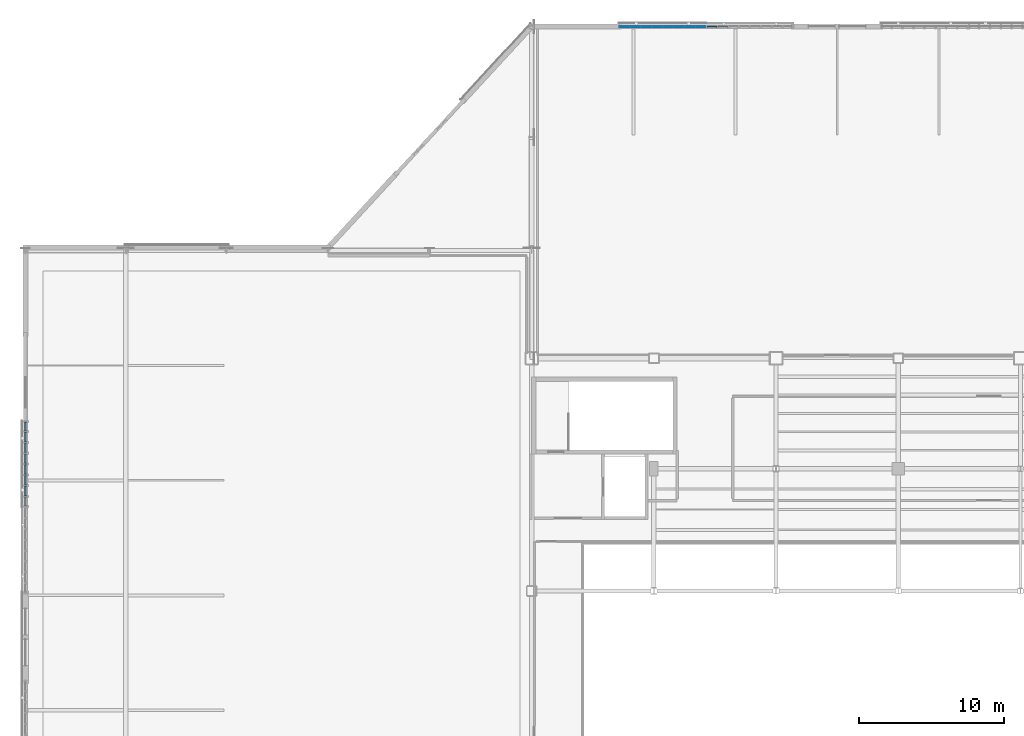
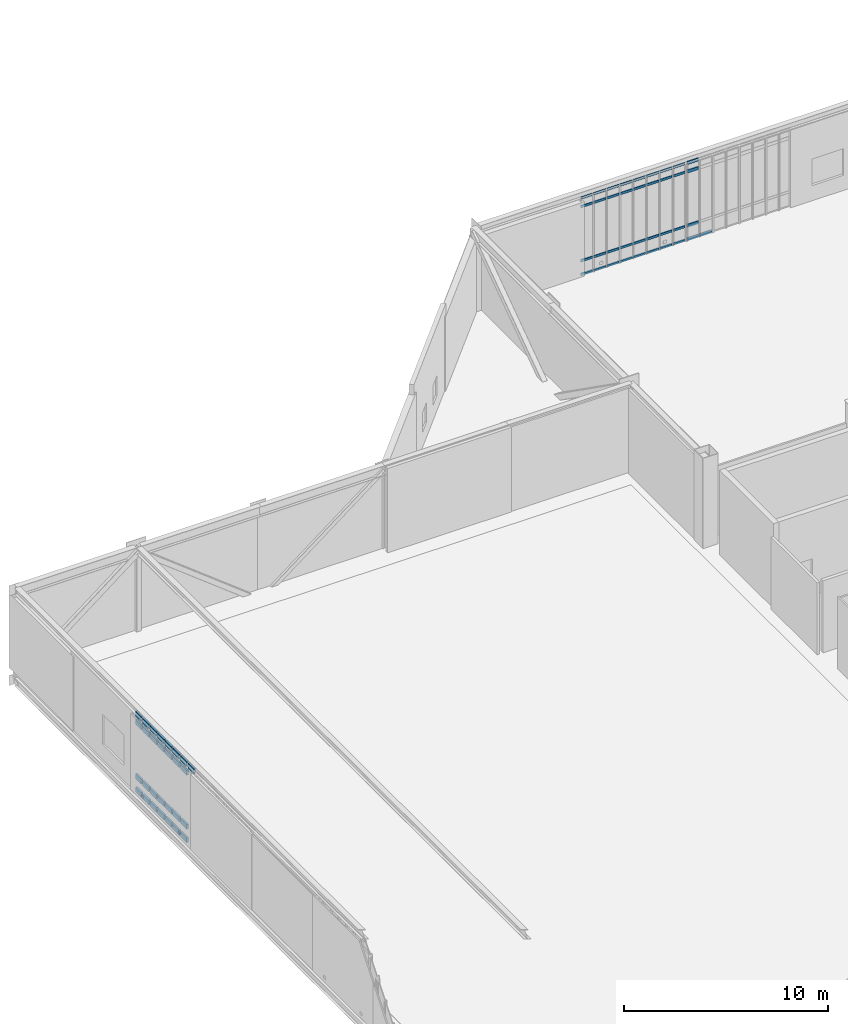
# One storey, part 56 of 135: 66 members, 3 elements without a shape of their own.
"""IFC4 building model written with IfcOpenShell, lengths in metres."""

from ifc_helpers import new_model, si_unit, direction, frame, origin, origin_2d, place, context, subcontext, project, spatial, rectangle, extrude, material, material_profile, profile_set, type_object, element, aggregate, save


model = new_model("IFC4")

# Units and contexts
model_context = context("Model", 3, precision=1e-05, world=origin(), true_north=direction((0.0, 1.0)))
body_context = subcontext(model_context, "Body", "Model", "MODEL_VIEW")
ifc_project = project(units=[si_unit("LENGTHUNIT", "METRE"), si_unit("AREAUNIT", "SQUARE_METRE"), si_unit("VOLUMEUNIT", "CUBIC_METRE"), si_unit("PLANEANGLEUNIT", "RADIAN"), si_unit("MASSUNIT", "GRAM", prefix="KILO")], contexts=[model_context])

# Site, building, storey
site_placement = place(None, origin())
site = spatial("IfcSite", under=ifc_project, at=site_placement, CompositionType="ELEMENT")
building_placement = place(site_placement, origin())
building = spatial("IfcBuilding", under=site, at=building_placement, Name="Larkvane Passage Sports Hall", CompositionType="ELEMENT")
storey_placement = place(building_placement, frame((0.0, 0.0, 16.800048828125)))
storey = spatial("IfcBuildingStorey", under=building, at=storey_placement, Name="L03", CompositionType="ELEMENT", Elevation=16.800048828125)

# Curtain wall, members
ifc_material_1 = material(Name="Thermally broken aluminium and low-E glazing", Category="aluminium")
curtain_wall_type_1 = type_object("IfcCurtainWallType", Name="CW-CLINIC", PredefinedType="USERDEFINED", material=ifc_material_1)
curtain_wall_1_placement = place(storey_placement, origin())
curtain_wall_1 = element("IfcCurtainWall", 1, at=curtain_wall_1_placement, inside=storey, type_object=curtain_wall_type_1, Name="Curtain wall CW5-L03-135", ObjectType="UNITISED CURTAIN WALL", PredefinedType="USERDEFINED")
ifc_material_2 = material(Name="Anodised aluminium 6063-T6", Category="aluminium")
ifc_material_profile_1 = material_profile(ifc_material_2, rectangle(XDim=0.110107421875, YDim=0.2900390625, at=origin_2d()), Name="ALU-TRN-110x290")
ifc_profile_set_1 = profile_set([ifc_material_profile_1], Name="Anodised aluminium 6063-T6")
member_type_1 = type_object("IfcMemberType", Name="CW-TRN-110x290", PredefinedType="USERDEFINED", material=ifc_profile_set_1)
member_1_placement = place(storey_placement, frame((0.0, 81.4599609375, 4.593017578125), z_axis=(0.0, 1.0, 0.0), x_axis=(-1.0, 0.0, 0.0)))
member_1 = element("IfcMember", 2, at=member_1_placement, type_object=member_type_1, Name="CW-05 transom 1.4", ObjectType="TRANSOM", PredefinedType="USERDEFINED", context=body_context, shape_type="SweptSolid", body=[
    extrude(rectangle(XDim=0.110107421875, YDim=0.2900390625, at=origin_2d()), origin(), (0.0, 0.0, 1.0), 0.578857421875),
])
member_2_placement = place(storey_placement, frame((0.0, 82.148681640625, 0.054931640625), z_axis=(0.0, 1.0, 0.0), x_axis=(-1.0, 0.0, 0.0)))
member_2 = element("IfcMember", 3, at=member_2_placement, type_object=member_type_1, Name="CW-05 transom 2.1", ObjectType="TRANSOM", PredefinedType="USERDEFINED", context=body_context, shape_type="SweptSolid", body=[
    extrude(rectangle(XDim=0.110107421875, YDim=0.2900390625, at=origin_2d()), origin(), (0.0, 0.0, 1.0), 0.6337890625),
])
member_3_placement = place(storey_placement, frame((0.0, 82.148681640625, 0.849853515625), z_axis=(0.0, 1.0, 0.0), x_axis=(-1.0, 0.0, 0.0)))
member_3 = element("IfcMember", 4, at=member_3_placement, type_object=member_type_1, Name="CW-05 transom 2.2", ObjectType="TRANSOM", PredefinedType="USERDEFINED", context=body_context, shape_type="SweptSolid", body=[
    extrude(rectangle(XDim=0.110107421875, YDim=0.2900390625, at=origin_2d()), origin(), (0.0, 0.0, 1.0), 0.6337890625),
])
member_4_placement = place(storey_placement, frame((0.0, 82.148681640625, 4.097900390625), z_axis=(0.0, 1.0, 0.0), x_axis=(-1.0, 0.0, 0.0)))
member_4 = element("IfcMember", 5, at=member_4_placement, type_object=member_type_1, Name="CW-05 transom 2.3", ObjectType="TRANSOM", PredefinedType="USERDEFINED", context=body_context, shape_type="SweptSolid", body=[
    extrude(rectangle(XDim=0.110107421875, YDim=0.2900390625, at=origin_2d()), origin(), (0.0, 0.0, 1.0), 0.6337890625),
])
member_5_placement = place(storey_placement, frame((0.0, 82.148681640625, 4.593017578125), z_axis=(0.0, 1.0, 0.0), x_axis=(-1.0, 0.0, 0.0)))
member_5 = element("IfcMember", 6, at=member_5_placement, type_object=member_type_1, Name="CW-05 transom 2.4", ObjectType="TRANSOM", PredefinedType="USERDEFINED", context=body_context, shape_type="SweptSolid", body=[
    extrude(rectangle(XDim=0.110107421875, YDim=0.2900390625, at=origin_2d()), origin(), (0.0, 0.0, 1.0), 0.6337890625),
])
member_6_placement = place(storey_placement, frame((0.0, 82.892578125, 0.054931640625), z_axis=(0.0, 1.0, 0.0), x_axis=(-1.0, 0.0, 0.0)))
member_6 = element("IfcMember", 7, at=member_6_placement, type_object=member_type_1, Name="CW-05 transom 3.1", ObjectType="TRANSOM", PredefinedType="USERDEFINED", context=body_context, shape_type="SweptSolid", body=[
    extrude(rectangle(XDim=0.110107421875, YDim=0.2900390625, at=origin_2d()), origin(), (0.0, 0.0, 1.0), 0.6337890625),
])
member_7_placement = place(storey_placement, frame((0.0, 82.892578125, 0.849853515625), z_axis=(0.0, 1.0, 0.0), x_axis=(-1.0, 0.0, 0.0)))
member_7 = element("IfcMember", 8, at=member_7_placement, type_object=member_type_1, Name="CW-05 transom 3.2", ObjectType="TRANSOM", PredefinedType="USERDEFINED", context=body_context, shape_type="SweptSolid", body=[
    extrude(rectangle(XDim=0.110107421875, YDim=0.2900390625, at=origin_2d()), origin(), (0.0, 0.0, 1.0), 0.6337890625),
])
member_8_placement = place(storey_placement, frame((0.0, 82.892578125, 4.097900390625), z_axis=(0.0, 1.0, 0.0), x_axis=(-1.0, 0.0, 0.0)))
member_8 = element("IfcMember", 9, at=member_8_placement, type_object=member_type_1, Name="CW-05 transom 3.3", ObjectType="TRANSOM", PredefinedType="USERDEFINED", context=body_context, shape_type="SweptSolid", body=[
    extrude(rectangle(XDim=0.110107421875, YDim=0.2900390625, at=origin_2d()), origin(), (0.0, 0.0, 1.0), 0.6337890625),
])
member_9_placement = place(storey_placement, frame((0.0, 82.892578125, 4.593017578125), z_axis=(0.0, 1.0, 0.0), x_axis=(-1.0, 0.0, 0.0)))
member_9 = element("IfcMember", 10, at=member_9_placement, type_object=member_type_1, Name="CW-05 transom 3.4", ObjectType="TRANSOM", PredefinedType="USERDEFINED", context=body_context, shape_type="SweptSolid", body=[
    extrude(rectangle(XDim=0.110107421875, YDim=0.2900390625, at=origin_2d()), origin(), (0.0, 0.0, 1.0), 0.6337890625),
])
member_10_placement = place(storey_placement, frame((0.0, 83.63623046875, 0.054931640625), z_axis=(0.0, 1.0, 0.0), x_axis=(-1.0, 0.0, 0.0)))
member_10 = element("IfcMember", 11, at=member_10_placement, type_object=member_type_1, Name="CW-05 transom 4.1", ObjectType="TRANSOM", PredefinedType="USERDEFINED", context=body_context, shape_type="SweptSolid", body=[
    extrude(rectangle(XDim=0.110107421875, YDim=0.2900390625, at=origin_2d()), origin(), (0.0, 0.0, 1.0), 0.6337890625),
])
member_11_placement = place(storey_placement, frame((0.0, 83.63623046875, 0.849853515625), z_axis=(0.0, 1.0, 0.0), x_axis=(-1.0, 0.0, 0.0)))
member_11 = element("IfcMember", 12, at=member_11_placement, type_object=member_type_1, Name="CW-05 transom 4.2", ObjectType="TRANSOM", PredefinedType="USERDEFINED", context=body_context, shape_type="SweptSolid", body=[
    extrude(rectangle(XDim=0.110107421875, YDim=0.2900390625, at=origin_2d()), origin(), (0.0, 0.0, 1.0), 0.6337890625),
])
member_12_placement = place(storey_placement, frame((0.0, 83.63623046875, 4.097900390625), z_axis=(0.0, 1.0, 0.0), x_axis=(-1.0, 0.0, 0.0)))
member_12 = element("IfcMember", 13, at=member_12_placement, type_object=member_type_1, Name="CW-05 transom 4.3", ObjectType="TRANSOM", PredefinedType="USERDEFINED", context=body_context, shape_type="SweptSolid", body=[
    extrude(rectangle(XDim=0.110107421875, YDim=0.2900390625, at=origin_2d()), origin(), (0.0, 0.0, 1.0), 0.6337890625),
])
member_13_placement = place(storey_placement, frame((0.0, 83.63623046875, 4.593017578125), z_axis=(0.0, 1.0, 0.0), x_axis=(-1.0, 0.0, 0.0)))
member_13 = element("IfcMember", 14, at=member_13_placement, type_object=member_type_1, Name="CW-05 transom 4.4", ObjectType="TRANSOM", PredefinedType="USERDEFINED", context=body_context, shape_type="SweptSolid", body=[
    extrude(rectangle(XDim=0.110107421875, YDim=0.2900390625, at=origin_2d()), origin(), (0.0, 0.0, 1.0), 0.6337890625),
])
member_14_placement = place(storey_placement, frame((0.0, 84.3798828125, 0.054931640625), z_axis=(0.0, 1.0, 0.0), x_axis=(-1.0, 0.0, 0.0)))
member_14 = element("IfcMember", 15, at=member_14_placement, type_object=member_type_1, Name="CW-05 transom 5.1", ObjectType="TRANSOM", PredefinedType="USERDEFINED", context=body_context, shape_type="SweptSolid", body=[
    extrude(rectangle(XDim=0.110107421875, YDim=0.2900390625, at=origin_2d()), origin(), (0.0, 0.0, 1.0), 0.6337890625),
])
member_15_placement = place(storey_placement, frame((0.0, 84.3798828125, 0.849853515625), z_axis=(0.0, 1.0, 0.0), x_axis=(-1.0, 0.0, 0.0)))
member_15 = element("IfcMember", 16, at=member_15_placement, type_object=member_type_1, Name="CW-05 transom 5.2", ObjectType="TRANSOM", PredefinedType="USERDEFINED", context=body_context, shape_type="SweptSolid", body=[
    extrude(rectangle(XDim=0.110107421875, YDim=0.2900390625, at=origin_2d()), origin(), (0.0, 0.0, 1.0), 0.6337890625),
])
member_16_placement = place(storey_placement, frame((0.0, 84.3798828125, 4.097900390625), z_axis=(0.0, 1.0, 0.0), x_axis=(-1.0, 0.0, 0.0)))
member_16 = element("IfcMember", 17, at=member_16_placement, type_object=member_type_1, Name="CW-05 transom 5.3", ObjectType="TRANSOM", PredefinedType="USERDEFINED", context=body_context, shape_type="SweptSolid", body=[
    extrude(rectangle(XDim=0.110107421875, YDim=0.2900390625, at=origin_2d()), origin(), (0.0, 0.0, 1.0), 0.6337890625),
])
member_17_placement = place(storey_placement, frame((0.0, 84.3798828125, 4.593017578125), z_axis=(0.0, 1.0, 0.0), x_axis=(-1.0, 0.0, 0.0)))
member_17 = element("IfcMember", 18, at=member_17_placement, type_object=member_type_1, Name="CW-05 transom 5.4", ObjectType="TRANSOM", PredefinedType="USERDEFINED", context=body_context, shape_type="SweptSolid", body=[
    extrude(rectangle(XDim=0.110107421875, YDim=0.2900390625, at=origin_2d()), origin(), (0.0, 0.0, 1.0), 0.6337890625),
])
member_18_placement = place(storey_placement, frame((0.0, 85.123779296875, 0.054931640625), z_axis=(0.0, 1.0, 0.0), x_axis=(-1.0, 0.0, 0.0)))
member_18 = element("IfcMember", 19, at=member_18_placement, type_object=member_type_1, Name="CW-05 transom 6.1", ObjectType="TRANSOM", PredefinedType="USERDEFINED", context=body_context, shape_type="SweptSolid", body=[
    extrude(rectangle(XDim=0.110107421875, YDim=0.2900390625, at=origin_2d()), origin(), (0.0, 0.0, 1.0), 0.6337890625),
])
member_19_placement = place(storey_placement, frame((0.0, 85.123779296875, 0.849853515625), z_axis=(0.0, 1.0, 0.0), x_axis=(-1.0, 0.0, 0.0)))
member_19 = element("IfcMember", 20, at=member_19_placement, type_object=member_type_1, Name="CW-05 transom 6.2", ObjectType="TRANSOM", PredefinedType="USERDEFINED", context=body_context, shape_type="SweptSolid", body=[
    extrude(rectangle(XDim=0.110107421875, YDim=0.2900390625, at=origin_2d()), origin(), (0.0, 0.0, 1.0), 0.6337890625),
])
member_20_placement = place(storey_placement, frame((0.0, 85.123779296875, 4.097900390625), z_axis=(0.0, 1.0, 0.0), x_axis=(-1.0, 0.0, 0.0)))
member_20 = element("IfcMember", 21, at=member_20_placement, type_object=member_type_1, Name="CW-05 transom 6.3", ObjectType="TRANSOM", PredefinedType="USERDEFINED", context=body_context, shape_type="SweptSolid", body=[
    extrude(rectangle(XDim=0.110107421875, YDim=0.2900390625, at=origin_2d()), origin(), (0.0, 0.0, 1.0), 0.6337890625),
])
member_21_placement = place(storey_placement, frame((0.0, 85.123779296875, 4.593017578125), z_axis=(0.0, 1.0, 0.0), x_axis=(-1.0, 0.0, 0.0)))
member_21 = element("IfcMember", 22, at=member_21_placement, type_object=member_type_1, Name="CW-05 transom 6.4", ObjectType="TRANSOM", PredefinedType="USERDEFINED", context=body_context, shape_type="SweptSolid", body=[
    extrude(rectangle(XDim=0.110107421875, YDim=0.2900390625, at=origin_2d()), origin(), (0.0, 0.0, 1.0), 0.6337890625),
])
member_22_placement = place(storey_placement, frame((0.0, 85.867431640625, 0.054931640625), z_axis=(0.0, 1.0, 0.0), x_axis=(-1.0, 0.0, 0.0)))
member_22 = element("IfcMember", 23, at=member_22_placement, type_object=member_type_1, Name="CW-05 transom 7.1", ObjectType="TRANSOM", PredefinedType="USERDEFINED", context=body_context, shape_type="SweptSolid", body=[
    extrude(rectangle(XDim=0.110107421875, YDim=0.2900390625, at=origin_2d()), origin(), (0.0, 0.0, 1.0), 0.6337890625),
])
member_23_placement = place(storey_placement, frame((0.0, 85.867431640625, 0.849853515625), z_axis=(0.0, 1.0, 0.0), x_axis=(-1.0, 0.0, 0.0)))
member_23 = element("IfcMember", 24, at=member_23_placement, type_object=member_type_1, Name="CW-05 transom 7.2", ObjectType="TRANSOM", PredefinedType="USERDEFINED", context=body_context, shape_type="SweptSolid", body=[
    extrude(rectangle(XDim=0.110107421875, YDim=0.2900390625, at=origin_2d()), origin(), (0.0, 0.0, 1.0), 0.6337890625),
])
member_24_placement = place(storey_placement, frame((0.0, 85.867431640625, 4.097900390625), z_axis=(0.0, 1.0, 0.0), x_axis=(-1.0, 0.0, 0.0)))
member_24 = element("IfcMember", 25, at=member_24_placement, type_object=member_type_1, Name="CW-05 transom 7.3", ObjectType="TRANSOM", PredefinedType="USERDEFINED", context=body_context, shape_type="SweptSolid", body=[
    extrude(rectangle(XDim=0.110107421875, YDim=0.2900390625, at=origin_2d()), origin(), (0.0, 0.0, 1.0), 0.6337890625),
])
member_25_placement = place(storey_placement, frame((0.0, 85.867431640625, 4.593017578125), z_axis=(0.0, 1.0, 0.0), x_axis=(-1.0, 0.0, 0.0)))
member_25 = element("IfcMember", 26, at=member_25_placement, type_object=member_type_1, Name="CW-05 transom 7.4", ObjectType="TRANSOM", PredefinedType="USERDEFINED", context=body_context, shape_type="SweptSolid", body=[
    extrude(rectangle(XDim=0.110107421875, YDim=0.2900390625, at=origin_2d()), origin(), (0.0, 0.0, 1.0), 0.6337890625),
])
member_26_placement = place(storey_placement, frame((0.0, 86.611328125, 0.054931640625), z_axis=(0.0, 1.0, 0.0), x_axis=(-1.0, 0.0, 0.0)))
member_26 = element("IfcMember", 27, at=member_26_placement, type_object=member_type_1, Name="CW-05 transom 8.1", ObjectType="TRANSOM", PredefinedType="USERDEFINED", context=body_context, shape_type="SweptSolid", body=[
    extrude(rectangle(XDim=0.110107421875, YDim=0.2900390625, at=origin_2d()), origin(), (0.0, 0.0, 1.0), 0.57861328125),
])
member_27_placement = place(storey_placement, frame((0.0, 86.611328125, 0.849853515625), z_axis=(0.0, 1.0, 0.0), x_axis=(-1.0, 0.0, 0.0)))
member_27 = element("IfcMember", 28, at=member_27_placement, type_object=member_type_1, Name="CW-05 transom 8.2", ObjectType="TRANSOM", PredefinedType="USERDEFINED", context=body_context, shape_type="SweptSolid", body=[
    extrude(rectangle(XDim=0.110107421875, YDim=0.2900390625, at=origin_2d()), origin(), (0.0, 0.0, 1.0), 0.57861328125),
])
member_28_placement = place(storey_placement, frame((0.0, 86.611328125, 4.097900390625), z_axis=(0.0, 1.0, 0.0), x_axis=(-1.0, 0.0, 0.0)))
member_28 = element("IfcMember", 29, at=member_28_placement, type_object=member_type_1, Name="CW-05 transom 8.3", ObjectType="TRANSOM", PredefinedType="USERDEFINED", context=body_context, shape_type="SweptSolid", body=[
    extrude(rectangle(XDim=0.110107421875, YDim=0.2900390625, at=origin_2d()), origin(), (0.0, 0.0, 1.0), 0.57861328125),
])
member_29_placement = place(storey_placement, frame((0.0, 86.611328125, 4.593017578125), z_axis=(0.0, 1.0, 0.0), x_axis=(-1.0, 0.0, 0.0)))
member_29 = element("IfcMember", 30, at=member_29_placement, type_object=member_type_1, Name="CW-05 transom 8.4", ObjectType="TRANSOM", PredefinedType="USERDEFINED", context=body_context, shape_type="SweptSolid", body=[
    extrude(rectangle(XDim=0.110107421875, YDim=0.2900390625, at=origin_2d()), origin(), (0.0, 0.0, 1.0), 0.57861328125),
])
aggregate(curtain_wall_1, [member_1, member_2, member_3, member_4, member_5, member_6, member_7, member_8, member_9, member_10, member_11, member_12, member_13, member_14, member_15, member_16, member_17, member_18, member_19, member_20, member_21, member_22, member_23, member_24, member_25, member_26, member_27, member_28, member_29])

curtain_wall_type_2 = type_object("IfcCurtainWallType", Name="CW-UNIT-COURT", PredefinedType="USERDEFINED", material=ifc_material_1)
curtain_wall_2_placement = place(storey_placement, origin())
curtain_wall_2 = element("IfcCurtainWall", 31, at=curtain_wall_2_placement, inside=storey, type_object=curtain_wall_type_2, Name="Curtain wall CW5-L03-136", ObjectType="UNITISED CURTAIN WALL", PredefinedType="USERDEFINED")
ifc_material_profile_2 = material_profile(ifc_material_2, rectangle(XDim=0.06494140625, YDim=0.139892578125, at=origin_2d()), Name="ALU-TRN-65x140")
ifc_profile_set_2 = profile_set([ifc_material_profile_2], Name="Anodised aluminium 6063-T6")
member_type_2 = type_object("IfcMemberType", Name="CW-TRN-65x140", PredefinedType="USERDEFINED", material=ifc_profile_set_2)
member_30_placement = place(storey_placement, frame((40.864990234375, 114.39990234375, 0.032470703125), z_axis=(1.0, 0.0, 0.0), x_axis=(0.0, 1.0, 0.0)))
member_30 = element("IfcMember", 32, at=member_30_placement, type_object=member_type_2, Name="CW-01 transom 1.1", ObjectType="TRANSOM", PredefinedType="USERDEFINED", context=body_context, shape_type="SweptSolid", body=[
    extrude(rectangle(XDim=0.06494140625, YDim=0.139892578125, at=origin_2d()), origin(), (0.0, 0.0, 1.0), 0.652587890625),
])
member_31_placement = place(storey_placement, frame((40.864990234375, 114.39990234375, 0.849853515625), z_axis=(1.0, 0.0, 0.0), x_axis=(0.0, 1.0, 0.0)))
member_31 = element("IfcMember", 33, at=member_31_placement, type_object=member_type_2, Name="CW-01 transom 1.2", ObjectType="TRANSOM", PredefinedType="USERDEFINED", context=body_context, shape_type="SweptSolid", body=[
    extrude(rectangle(XDim=0.06494140625, YDim=0.139892578125, at=origin_2d()), origin(), (0.0, 0.0, 1.0), 0.652587890625),
])
member_32_placement = place(storey_placement, frame((40.864990234375, 114.39990234375, 4.097900390625), z_axis=(1.0, 0.0, 0.0), x_axis=(0.0, 1.0, 0.0)))
member_32 = element("IfcMember", 34, at=member_32_placement, type_object=member_type_2, Name="CW-01 transom 1.3", ObjectType="TRANSOM", PredefinedType="USERDEFINED", context=body_context, shape_type="SweptSolid", body=[
    extrude(rectangle(XDim=0.06494140625, YDim=0.139892578125, at=origin_2d()), origin(), (0.0, 0.0, 1.0), 0.652587890625),
])
member_33_placement = place(storey_placement, frame((40.864990234375, 114.39990234375, 4.615478515625), z_axis=(1.0, 0.0, 0.0), x_axis=(0.0, 1.0, 0.0)))
member_33 = element("IfcMember", 35, at=member_33_placement, type_object=member_type_2, Name="CW-01 transom 1.4", ObjectType="TRANSOM", PredefinedType="USERDEFINED", context=body_context, shape_type="SweptSolid", body=[
    extrude(rectangle(XDim=0.06494140625, YDim=0.139892578125, at=origin_2d()), origin(), (0.0, 0.0, 1.0), 0.652587890625),
])
member_34_placement = place(storey_placement, frame((41.58251953125, 114.39990234375, 0.032470703125), z_axis=(1.0, 0.0, 0.0), x_axis=(0.0, 1.0, 0.0)))
member_34 = element("IfcMember", 36, at=member_34_placement, type_object=member_type_2, Name="CW-01 transom 2.1", ObjectType="TRANSOM", PredefinedType="USERDEFINED", context=body_context, shape_type="SweptSolid", body=[
    extrude(rectangle(XDim=0.06494140625, YDim=0.139892578125, at=origin_2d()), origin(), (0.0, 0.0, 1.0), 0.68505859375),
])
member_35_placement = place(storey_placement, frame((41.58251953125, 114.39990234375, 0.849853515625), z_axis=(1.0, 0.0, 0.0), x_axis=(0.0, 1.0, 0.0)))
member_35 = element("IfcMember", 37, at=member_35_placement, type_object=member_type_2, Name="CW-01 transom 2.2", ObjectType="TRANSOM", PredefinedType="USERDEFINED", context=body_context, shape_type="SweptSolid", body=[
    extrude(rectangle(XDim=0.06494140625, YDim=0.139892578125, at=origin_2d()), origin(), (0.0, 0.0, 1.0), 0.68505859375),
])
member_36_placement = place(storey_placement, frame((41.58251953125, 114.39990234375, 4.097900390625), z_axis=(1.0, 0.0, 0.0), x_axis=(0.0, 1.0, 0.0)))
member_36 = element("IfcMember", 38, at=member_36_placement, type_object=member_type_2, Name="CW-01 transom 2.3", ObjectType="TRANSOM", PredefinedType="USERDEFINED", context=body_context, shape_type="SweptSolid", body=[
    extrude(rectangle(XDim=0.06494140625, YDim=0.139892578125, at=origin_2d()), origin(), (0.0, 0.0, 1.0), 0.68505859375),
])
member_37_placement = place(storey_placement, frame((41.58251953125, 114.39990234375, 4.615478515625), z_axis=(1.0, 0.0, 0.0), x_axis=(0.0, 1.0, 0.0)))
member_37 = element("IfcMember", 39, at=member_37_placement, type_object=member_type_2, Name="CW-01 transom 2.4", ObjectType="TRANSOM", PredefinedType="USERDEFINED", context=body_context, shape_type="SweptSolid", body=[
    extrude(rectangle(XDim=0.06494140625, YDim=0.139892578125, at=origin_2d()), origin(), (0.0, 0.0, 1.0), 0.68505859375),
])
member_38_placement = place(storey_placement, frame((42.33251953125, 114.39990234375, 0.032470703125), z_axis=(1.0, 0.0, 0.0), x_axis=(0.0, 1.0, 0.0)))
member_38 = element("IfcMember", 40, at=member_38_placement, type_object=member_type_2, Name="CW-01 transom 3.1", ObjectType="TRANSOM", PredefinedType="USERDEFINED", context=body_context, shape_type="SweptSolid", body=[
    extrude(rectangle(XDim=0.06494140625, YDim=0.139892578125, at=origin_2d()), origin(), (0.0, 0.0, 1.0), 0.68505859375),
])
member_39_placement = place(storey_placement, frame((42.33251953125, 114.39990234375, 0.849853515625), z_axis=(1.0, 0.0, 0.0), x_axis=(0.0, 1.0, 0.0)))
member_39 = element("IfcMember", 41, at=member_39_placement, type_object=member_type_2, Name="CW-01 transom 3.2", ObjectType="TRANSOM", PredefinedType="USERDEFINED", context=body_context, shape_type="SweptSolid", body=[
    extrude(rectangle(XDim=0.06494140625, YDim=0.139892578125, at=origin_2d()), origin(), (0.0, 0.0, 1.0), 0.68505859375),
])
member_40_placement = place(storey_placement, frame((42.33251953125, 114.39990234375, 4.097900390625), z_axis=(1.0, 0.0, 0.0), x_axis=(0.0, 1.0, 0.0)))
member_40 = element("IfcMember", 42, at=member_40_placement, type_object=member_type_2, Name="CW-01 transom 3.3", ObjectType="TRANSOM", PredefinedType="USERDEFINED", context=body_context, shape_type="SweptSolid", body=[
    extrude(rectangle(XDim=0.06494140625, YDim=0.139892578125, at=origin_2d()), origin(), (0.0, 0.0, 1.0), 0.68505859375),
])
member_41_placement = place(storey_placement, frame((42.33251953125, 114.39990234375, 4.615478515625), z_axis=(1.0, 0.0, 0.0), x_axis=(0.0, 1.0, 0.0)))
member_41 = element("IfcMember", 43, at=member_41_placement, type_object=member_type_2, Name="CW-01 transom 3.4", ObjectType="TRANSOM", PredefinedType="USERDEFINED", context=body_context, shape_type="SweptSolid", body=[
    extrude(rectangle(XDim=0.06494140625, YDim=0.139892578125, at=origin_2d()), origin(), (0.0, 0.0, 1.0), 0.68505859375),
])
member_42_placement = place(storey_placement, frame((43.08251953125, 114.39990234375, 0.032470703125), z_axis=(1.0, 0.0, 0.0), x_axis=(0.0, 1.0, 0.0)))
member_42 = element("IfcMember", 44, at=member_42_placement, type_object=member_type_2, Name="CW-01 transom 4.1", ObjectType="TRANSOM", PredefinedType="USERDEFINED", context=body_context, shape_type="SweptSolid", body=[
    extrude(rectangle(XDim=0.06494140625, YDim=0.139892578125, at=origin_2d()), origin(), (0.0, 0.0, 1.0), 0.68505859375),
])
member_43_placement = place(storey_placement, frame((43.08251953125, 114.39990234375, 0.849853515625), z_axis=(1.0, 0.0, 0.0), x_axis=(0.0, 1.0, 0.0)))
member_43 = element("IfcMember", 45, at=member_43_placement, type_object=member_type_2, Name="CW-01 transom 4.2", ObjectType="TRANSOM", PredefinedType="USERDEFINED", context=body_context, shape_type="SweptSolid", body=[
    extrude(rectangle(XDim=0.06494140625, YDim=0.139892578125, at=origin_2d()), origin(), (0.0, 0.0, 1.0), 0.68505859375),
])
member_44_placement = place(storey_placement, frame((43.08251953125, 114.39990234375, 4.097900390625), z_axis=(1.0, 0.0, 0.0), x_axis=(0.0, 1.0, 0.0)))
member_44 = element("IfcMember", 46, at=member_44_placement, type_object=member_type_2, Name="CW-01 transom 4.3", ObjectType="TRANSOM", PredefinedType="USERDEFINED", context=body_context, shape_type="SweptSolid", body=[
    extrude(rectangle(XDim=0.06494140625, YDim=0.139892578125, at=origin_2d()), origin(), (0.0, 0.0, 1.0), 0.68505859375),
])
member_45_placement = place(storey_placement, frame((43.08251953125, 114.39990234375, 4.615478515625), z_axis=(1.0, 0.0, 0.0), x_axis=(0.0, 1.0, 0.0)))
member_45 = element("IfcMember", 47, at=member_45_placement, type_object=member_type_2, Name="CW-01 transom 4.4", ObjectType="TRANSOM", PredefinedType="USERDEFINED", context=body_context, shape_type="SweptSolid", body=[
    extrude(rectangle(XDim=0.06494140625, YDim=0.139892578125, at=origin_2d()), origin(), (0.0, 0.0, 1.0), 0.68505859375),
])
member_46_placement = place(storey_placement, frame((43.83251953125, 114.39990234375, 0.032470703125), z_axis=(1.0, 0.0, 0.0), x_axis=(0.0, 1.0, 0.0)))
member_46 = element("IfcMember", 48, at=member_46_placement, type_object=member_type_2, Name="CW-01 transom 5.1", ObjectType="TRANSOM", PredefinedType="USERDEFINED", context=body_context, shape_type="SweptSolid", body=[
    extrude(rectangle(XDim=0.06494140625, YDim=0.139892578125, at=origin_2d()), origin(), (0.0, 0.0, 1.0), 0.68505859375),
])
member_47_placement = place(storey_placement, frame((43.83251953125, 114.39990234375, 0.849853515625), z_axis=(1.0, 0.0, 0.0), x_axis=(0.0, 1.0, 0.0)))
member_47 = element("IfcMember", 49, at=member_47_placement, type_object=member_type_2, Name="CW-01 transom 5.2", ObjectType="TRANSOM", PredefinedType="USERDEFINED", context=body_context, shape_type="SweptSolid", body=[
    extrude(rectangle(XDim=0.06494140625, YDim=0.139892578125, at=origin_2d()), origin(), (0.0, 0.0, 1.0), 0.68505859375),
])
member_48_placement = place(storey_placement, frame((43.83251953125, 114.39990234375, 4.097900390625), z_axis=(1.0, 0.0, 0.0), x_axis=(0.0, 1.0, 0.0)))
member_48 = element("IfcMember", 50, at=member_48_placement, type_object=member_type_2, Name="CW-01 transom 5.3", ObjectType="TRANSOM", PredefinedType="USERDEFINED", context=body_context, shape_type="SweptSolid", body=[
    extrude(rectangle(XDim=0.06494140625, YDim=0.139892578125, at=origin_2d()), origin(), (0.0, 0.0, 1.0), 0.68505859375),
])
member_49_placement = place(storey_placement, frame((43.83251953125, 114.39990234375, 4.615478515625), z_axis=(1.0, 0.0, 0.0), x_axis=(0.0, 1.0, 0.0)))
member_49 = element("IfcMember", 51, at=member_49_placement, type_object=member_type_2, Name="CW-01 transom 5.4", ObjectType="TRANSOM", PredefinedType="USERDEFINED", context=body_context, shape_type="SweptSolid", body=[
    extrude(rectangle(XDim=0.06494140625, YDim=0.139892578125, at=origin_2d()), origin(), (0.0, 0.0, 1.0), 0.68505859375),
])
member_50_placement = place(storey_placement, frame((44.58251953125, 114.39990234375, 0.032470703125), z_axis=(1.0, 0.0, 0.0), x_axis=(0.0, 1.0, 0.0)))
member_50 = element("IfcMember", 52, at=member_50_placement, type_object=member_type_2, Name="CW-01 transom 6.1", ObjectType="TRANSOM", PredefinedType="USERDEFINED", context=body_context, shape_type="SweptSolid", body=[
    extrude(rectangle(XDim=0.06494140625, YDim=0.139892578125, at=origin_2d()), origin(), (0.0, 0.0, 1.0), 0.68505859375),
])
member_51_placement = place(storey_placement, frame((44.58251953125, 114.39990234375, 0.849853515625), z_axis=(1.0, 0.0, 0.0), x_axis=(0.0, 1.0, 0.0)))
member_51 = element("IfcMember", 53, at=member_51_placement, type_object=member_type_2, Name="CW-01 transom 6.2", ObjectType="TRANSOM", PredefinedType="USERDEFINED", context=body_context, shape_type="SweptSolid", body=[
    extrude(rectangle(XDim=0.06494140625, YDim=0.139892578125, at=origin_2d()), origin(), (0.0, 0.0, 1.0), 0.68505859375),
])
member_52_placement = place(storey_placement, frame((44.58251953125, 114.39990234375, 4.097900390625), z_axis=(1.0, 0.0, 0.0), x_axis=(0.0, 1.0, 0.0)))
member_52 = element("IfcMember", 54, at=member_52_placement, type_object=member_type_2, Name="CW-01 transom 6.3", ObjectType="TRANSOM", PredefinedType="USERDEFINED", context=body_context, shape_type="SweptSolid", body=[
    extrude(rectangle(XDim=0.06494140625, YDim=0.139892578125, at=origin_2d()), origin(), (0.0, 0.0, 1.0), 0.68505859375),
])
member_53_placement = place(storey_placement, frame((44.58251953125, 114.39990234375, 4.615478515625), z_axis=(1.0, 0.0, 0.0), x_axis=(0.0, 1.0, 0.0)))
member_53 = element("IfcMember", 55, at=member_53_placement, type_object=member_type_2, Name="CW-01 transom 6.4", ObjectType="TRANSOM", PredefinedType="USERDEFINED", context=body_context, shape_type="SweptSolid", body=[
    extrude(rectangle(XDim=0.06494140625, YDim=0.139892578125, at=origin_2d()), origin(), (0.0, 0.0, 1.0), 0.68505859375),
])
member_54_placement = place(storey_placement, frame((45.33251953125, 114.39990234375, 0.032470703125), z_axis=(1.0, 0.0, 0.0), x_axis=(0.0, 1.0, 0.0)))
member_54 = element("IfcMember", 56, at=member_54_placement, type_object=member_type_2, Name="CW-01 transom 7.1", ObjectType="TRANSOM", PredefinedType="USERDEFINED", context=body_context, shape_type="SweptSolid", body=[
    extrude(rectangle(XDim=0.06494140625, YDim=0.139892578125, at=origin_2d()), origin(), (0.0, 0.0, 1.0), 0.68505859375),
])
member_55_placement = place(storey_placement, frame((45.33251953125, 114.39990234375, 0.849853515625), z_axis=(1.0, 0.0, 0.0), x_axis=(0.0, 1.0, 0.0)))
member_55 = element("IfcMember", 57, at=member_55_placement, type_object=member_type_2, Name="CW-01 transom 7.2", ObjectType="TRANSOM", PredefinedType="USERDEFINED", context=body_context, shape_type="SweptSolid", body=[
    extrude(rectangle(XDim=0.06494140625, YDim=0.139892578125, at=origin_2d()), origin(), (0.0, 0.0, 1.0), 0.68505859375),
])
member_56_placement = place(storey_placement, frame((45.33251953125, 114.39990234375, 4.097900390625), z_axis=(1.0, 0.0, 0.0), x_axis=(0.0, 1.0, 0.0)))
member_56 = element("IfcMember", 58, at=member_56_placement, type_object=member_type_2, Name="CW-01 transom 7.3", ObjectType="TRANSOM", PredefinedType="USERDEFINED", context=body_context, shape_type="SweptSolid", body=[
    extrude(rectangle(XDim=0.06494140625, YDim=0.139892578125, at=origin_2d()), origin(), (0.0, 0.0, 1.0), 0.68505859375),
])
member_57_placement = place(storey_placement, frame((45.33251953125, 114.39990234375, 4.615478515625), z_axis=(1.0, 0.0, 0.0), x_axis=(0.0, 1.0, 0.0)))
member_57 = element("IfcMember", 59, at=member_57_placement, type_object=member_type_2, Name="CW-01 transom 7.4", ObjectType="TRANSOM", PredefinedType="USERDEFINED", context=body_context, shape_type="SweptSolid", body=[
    extrude(rectangle(XDim=0.06494140625, YDim=0.139892578125, at=origin_2d()), origin(), (0.0, 0.0, 1.0), 0.68505859375),
])
member_58_placement = place(storey_placement, frame((46.08251953125, 114.39990234375, 0.032470703125), z_axis=(1.0, 0.0, 0.0), x_axis=(0.0, 1.0, 0.0)))
member_58 = element("IfcMember", 60, at=member_58_placement, type_object=member_type_2, Name="CW-01 transom 8.1", ObjectType="TRANSOM", PredefinedType="USERDEFINED", context=body_context, shape_type="SweptSolid", body=[
    extrude(rectangle(XDim=0.06494140625, YDim=0.139892578125, at=origin_2d()), origin(), (0.0, 0.0, 1.0), 0.652587890625),
])
member_59_placement = place(storey_placement, frame((46.08251953125, 114.39990234375, 0.849853515625), z_axis=(1.0, 0.0, 0.0), x_axis=(0.0, 1.0, 0.0)))
member_59 = element("IfcMember", 61, at=member_59_placement, type_object=member_type_2, Name="CW-01 transom 8.2", ObjectType="TRANSOM", PredefinedType="USERDEFINED", context=body_context, shape_type="SweptSolid", body=[
    extrude(rectangle(XDim=0.06494140625, YDim=0.139892578125, at=origin_2d()), origin(), (0.0, 0.0, 1.0), 0.652587890625),
])
member_60_placement = place(storey_placement, frame((46.08251953125, 114.39990234375, 4.097900390625), z_axis=(1.0, 0.0, 0.0), x_axis=(0.0, 1.0, 0.0)))
member_60 = element("IfcMember", 62, at=member_60_placement, type_object=member_type_2, Name="CW-01 transom 8.3", ObjectType="TRANSOM", PredefinedType="USERDEFINED", context=body_context, shape_type="SweptSolid", body=[
    extrude(rectangle(XDim=0.06494140625, YDim=0.139892578125, at=origin_2d()), origin(), (0.0, 0.0, 1.0), 0.652587890625),
])
member_61_placement = place(storey_placement, frame((46.08251953125, 114.39990234375, 4.615478515625), z_axis=(1.0, 0.0, 0.0), x_axis=(0.0, 1.0, 0.0)))
member_61 = element("IfcMember", 63, at=member_61_placement, type_object=member_type_2, Name="CW-01 transom 8.4", ObjectType="TRANSOM", PredefinedType="USERDEFINED", context=body_context, shape_type="SweptSolid", body=[
    extrude(rectangle(XDim=0.06494140625, YDim=0.139892578125, at=origin_2d()), origin(), (0.0, 0.0, 1.0), 0.652587890625),
])
aggregate(curtain_wall_2, [member_30, member_31, member_32, member_33, member_34, member_35, member_36, member_37, member_38, member_39, member_40, member_41, member_42, member_43, member_44, member_45, member_46, member_47, member_48, member_49, member_50, member_51, member_52, member_53, member_54, member_55, member_56, member_57, member_58, member_59, member_60, member_61])

curtain_wall_type_3 = type_object("IfcCurtainWallType", Name="CW-UNIT-VEIL", PredefinedType="USERDEFINED", material=ifc_material_1)
curtain_wall_3_placement = place(storey_placement, origin())
curtain_wall_3 = element("IfcCurtainWall", 64, at=curtain_wall_3_placement, inside=storey, type_object=curtain_wall_type_3, Name="Curtain wall CW5-L03-137", ObjectType="UNITISED CURTAIN WALL", PredefinedType="USERDEFINED")
ifc_material_profile_3 = material_profile(ifc_material_2, rectangle(XDim=0.074951171875, YDim=0.18505859375, at=origin_2d()), Name="ALU-TRN-75x185")
ifc_profile_set_3 = profile_set([ifc_material_profile_3], Name="Anodised aluminium 6063-T6")
member_type_3 = type_object("IfcMemberType", Name="CW-TRN-75x185", PredefinedType="USERDEFINED", material=ifc_profile_set_3)
member_62_placement = place(storey_placement, frame((46.875, 114.39990234375, 0.037353515625), z_axis=(1.0, 0.0, 0.0), x_axis=(0.0, 1.0, 0.0)))
member_62 = element("IfcMember", 65, at=member_62_placement, type_object=member_type_3, Name="CW-02 transom 1.1", ObjectType="TRANSOM", PredefinedType="USERDEFINED", context=body_context, shape_type="SweptSolid", body=[
    extrude(rectangle(XDim=0.074951171875, YDim=0.18505859375, at=origin_2d()), origin(), (0.0, 0.0, 1.0), 0.637451171875),
])
member_63_placement = place(storey_placement, frame((46.875, 114.39990234375, 0.849853515625), z_axis=(1.0, 0.0, 0.0), x_axis=(0.0, 1.0, 0.0)))
member_63 = element("IfcMember", 66, at=member_63_placement, type_object=member_type_3, Name="CW-02 transom 1.2", ObjectType="TRANSOM", PredefinedType="USERDEFINED", context=body_context, shape_type="SweptSolid", body=[
    extrude(rectangle(XDim=0.074951171875, YDim=0.18505859375, at=origin_2d()), origin(), (0.0, 0.0, 1.0), 0.637451171875),
])
member_64_placement = place(storey_placement, frame((46.875, 114.39990234375, 4.097900390625), z_axis=(1.0, 0.0, 0.0), x_axis=(0.0, 1.0, 0.0)))
member_64 = element("IfcMember", 67, at=member_64_placement, type_object=member_type_3, Name="CW-02 transom 1.3", ObjectType="TRANSOM", PredefinedType="USERDEFINED", context=body_context, shape_type="SweptSolid", body=[
    extrude(rectangle(XDim=0.074951171875, YDim=0.18505859375, at=origin_2d()), origin(), (0.0, 0.0, 1.0), 0.637451171875),
])
member_65_placement = place(storey_placement, frame((46.875, 114.39990234375, 4.6103515625), z_axis=(1.0, 0.0, 0.0), x_axis=(0.0, 1.0, 0.0)))
member_65 = element("IfcMember", 68, at=member_65_placement, type_object=member_type_3, Name="CW-02 transom 1.4", ObjectType="TRANSOM", PredefinedType="USERDEFINED", context=body_context, shape_type="SweptSolid", body=[
    extrude(rectangle(XDim=0.074951171875, YDim=0.18505859375, at=origin_2d()), origin(), (0.0, 0.0, 1.0), 0.637451171875),
])
member_66_placement = place(storey_placement, frame((47.58740234375, 114.39990234375, 0.037353515625), z_axis=(1.0, 0.0, 0.0), x_axis=(0.0, 1.0, 0.0)))
member_66 = element("IfcMember", 69, at=member_66_placement, type_object=member_type_3, Name="CW-02 transom 2.1", ObjectType="TRANSOM", PredefinedType="USERDEFINED", context=body_context, shape_type="SweptSolid", body=[
    extrude(rectangle(XDim=0.074951171875, YDim=0.18505859375, at=origin_2d()), origin(), (0.0, 0.0, 1.0), 0.675048828125),
])
aggregate(curtain_wall_3, [member_62, member_63, member_64, member_65, member_66])

save(model, "model.ifc")
